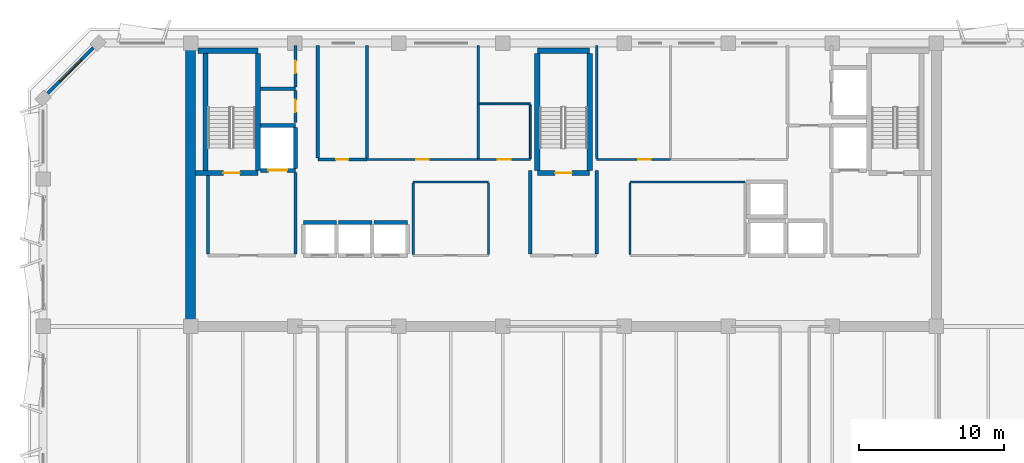
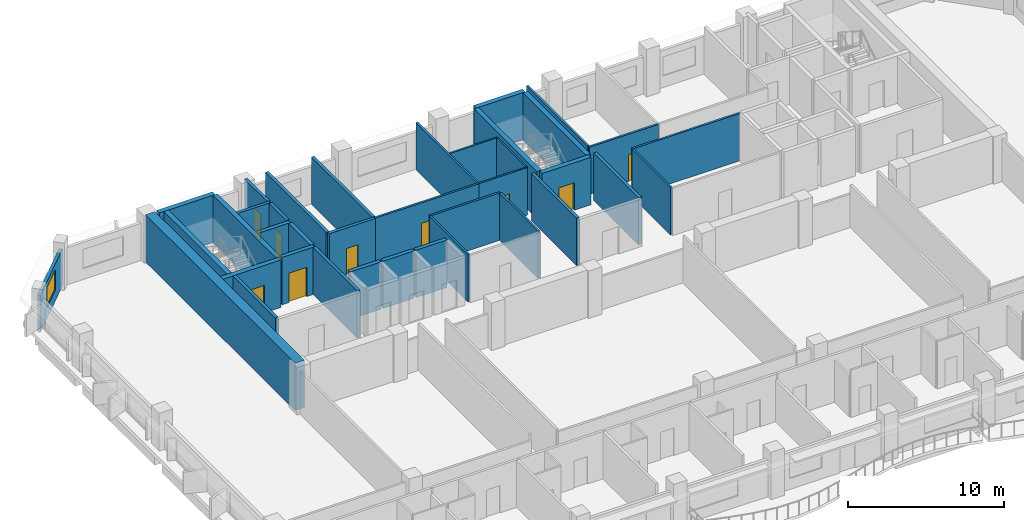
# One storey, part 6 of 11: 38 walls, 9 doors, 1 window, 10 openings.
"""IFC4 building model written with IfcOpenShell, lengths in metres."""

from ifc_helpers import new_model, si_unit, direction, frame, frame_2d, origin, place, context, subcontext, project, spatial, rectangle, extrude, material, layer, layer_set, type_object, element, fill, save


model = new_model("IFC4")

# Units and contexts
model_context = context("Model", 3, precision=1e-05, world=origin(), true_north=direction((0.0, 1.0)))
body_context = subcontext(model_context, "Body", "Model", "MODEL_VIEW")
ifc_project = project(units=[si_unit("LENGTHUNIT", "METRE"), si_unit("AREAUNIT", "SQUARE_METRE"), si_unit("VOLUMEUNIT", "CUBIC_METRE"), si_unit("PLANEANGLEUNIT", "RADIAN"), si_unit("MASSUNIT", "GRAM", prefix="KILO")], contexts=[model_context])

# Site, building, storey
site_placement = place(None, origin())
site = spatial("IfcSite", under=ifc_project, at=site_placement, CompositionType="ELEMENT")
building_placement = place(site_placement, origin())
building = spatial("IfcBuilding", under=site, at=building_placement, Name="Kaelvorn Grand Hotel", CompositionType="ELEMENT")
storey_placement = place(building_placement, frame((0.0, 0.0, 233.10009765625)))
storey = spatial("IfcBuildingStorey", under=building, at=storey_placement, Name="L57", CompositionType="ELEMENT", Elevation=233.10009765625)

# Wall
ifc_material_1 = material(Name="Concrete C50/60", Category="concrete")
ifc_layer_1 = layer(ifc_material_1, 0.699951171875)
ifc_layer_set_1 = layer_set([ifc_layer_1], Name="Concrete C50/60")
wall_type_1 = type_object("IfcWallType", Name="WL-CORE-700-C50", PredefinedType="SHEAR", material=ifc_layer_set_1)
wall_1_placement = place(storey_placement, frame((16.199951171875, 29.39990234375, 0.0), z_axis=(0.0, 0.0, 1.0), x_axis=(0.0, 1.0, 0.0)))
element("IfcWall", 1, at=wall_1_placement, inside=storey, type_object=wall_type_1, Name="L57 Rear-Core West Shear Wall", PredefinedType="SHEAR", context=body_context, shape_type="SweptSolid", body=[
    extrude(rectangle(XDim=19.2001953125, YDim=0.699951171875, at=frame_2d((9.60009765625, 0.0))), origin(), (0.0, 0.0, 1.0), 3.7099609375),
])

# Wall, opening, window
ifc_material_2 = material(Name="Concrete C40/50", Category="concrete")
ifc_layer_2 = layer(ifc_material_2, 0.219970703125)
ifc_layer_set_2 = layer_set([ifc_layer_2], Name="Concrete C40/50")
wall_type_2 = type_object("IfcWallType", Name="WL-EXT-220-C40", PredefinedType="SOLIDWALL", material=ifc_layer_set_2)
wall_2_placement = place(storey_placement, frame((9.800048828125, 49.0, 0.0), z_axis=(0.0, 0.0, 1.0), x_axis=(-0.707106781187, -0.707106781187, 0.0)))
wall_2 = element("IfcWall", 2, at=wall_2_placement, inside=storey, type_object=wall_type_2, Name="L57 Exterior Architectural Concrete Wall 06", PredefinedType="SOLIDWALL", context=body_context, shape_type="SweptSolid", body=[
    extrude(rectangle(XDim=5.3740234375, YDim=0.219970703125, at=frame_2d((2.68701171875, 0.0))), origin(), (0.0, 0.0, 1.0), 2.909912109375),
])
opening_1_placement = place(wall_2_placement, frame((1.636962890625, 0.0, 0.85009765625)))
opening_1 = element("IfcOpeningElement", 3, at=opening_1_placement, cuts=wall_2, Name="Opening W7", PredefinedType="OPENING", context=body_context, shape_type="SweptSolid", body=[
    extrude(rectangle(XDim=2.10009765625, YDim=1.60009765625, at=frame_2d((1.050048828125, 0.800048828125))), frame((0.0, 0.1201171875, 0.0), z_axis=(0.0, -1.0, 0.0), x_axis=(1.0, 0.0, 0.0)), (0.0, 0.0, 1.0), 0.239990234375),
])
ifc_material_3 = material(Name="Laminated Low-E Glass", Category="glass")
window_type = type_object("IfcWindowType", Name="WIN-CHM-2100x1600", PartitioningType="SINGLE_PANEL", PredefinedType="WINDOW", material=ifc_material_3)
window_placement = place(opening_1_placement, origin())
window = element("IfcWindow", 4, at=window_placement, inside=storey, type_object=window_type, Name="L57 Chamfered 45-Degree Corner Window NW", OverallHeight=1.60009765625, OverallWidth=2.10009765625, PartitioningType="SINGLE_PANEL", PredefinedType="WINDOW", context=body_context, shape_type="SweptSolid", body=[
    extrude(rectangle(XDim=2.10009765625, YDim=1.60009765625, at=frame_2d((1.050048828125, 0.800048828125))), frame((0.0, 0.030029296875, 0.0), z_axis=(0.0, -1.0, 0.0), x_axis=(1.0, 0.0, 0.0)), (0.0, 0.0, 1.0), 0.06005859375),
])
fill(opening_1, window)

# Wall, opening, door
ifc_material_4 = material(Name="Moisture-Resistant Tile & Stud Board")
ifc_layer_3 = layer(ifc_material_4, 0.125)
ifc_layer_set_3 = layer_set([ifc_layer_3], Name="Moisture-Resistant Tile & Stud Board")
wall_type_3 = type_object("IfcWallType", Name="WL-PART-125-WET", PredefinedType="PARTITIONING", material=ifc_layer_set_3)
wall_3_placement = place(storey_placement, frame((36.110107421875, 40.949951171875, 0.0), z_axis=(0.0, 0.0, 1.0), x_axis=(1.0, 0.0, 0.0)))
wall_3 = element("IfcWall", 5, at=wall_3_placement, inside=storey, type_object=wall_type_3, Name="L57 Accessible WC S Partition", PredefinedType="PARTITIONING", context=body_context, shape_type="SweptSolid", body=[
    extrude(rectangle(XDim=3.58984375, YDim=0.125, at=frame_2d((1.794921875, 0.0))), origin(), (0.0, 0.0, 1.0), 3.7099609375),
])
opening_2_placement = place(wall_3_placement, frame((1.340087890625, 0.0, 0.0)))
opening_2 = element("IfcOpeningElement", 6, at=opening_2_placement, cuts=wall_3, Name="Opening DI4", PredefinedType="OPENING", context=body_context, shape_type="SweptSolid", body=[
    extrude(rectangle(XDim=0.89990234375, YDim=2.10009765625, at=frame_2d((0.449951171875, 1.050048828125))), frame((0.0, 0.072509765625, 0.0), z_axis=(0.0, -1.0, 0.0), x_axis=(1.0, 0.0, 0.0)), (0.0, 0.0, 1.0), 0.14501953125),
])
ifc_material_5 = material(Name="Timber Veneer Leaf", Category="wood")
door_type_1 = type_object("IfcDoorType", Name="DR-INT-BATH-900x2100", OperationType="NOTDEFINED", PredefinedType="DOOR", material=ifc_material_5)
door_1_placement = place(opening_2_placement, origin())
door_1 = element("IfcDoor", 7, at=door_1_placement, inside=storey, type_object=door_type_1, Name="L57 Accessible WC Door", OperationType="SINGLE_SWING_RIGHT", OverallHeight=2.10009765625, OverallWidth=0.89990234375, PredefinedType="DOOR", context=body_context, shape_type="SweptSolid", body=[
    extrude(rectangle(XDim=0.89990234375, YDim=2.10009765625, at=frame_2d((0.449951171875, 1.050048828125))), frame((0.0, 0.02490234375, 0.0), z_axis=(0.0, -1.0, 0.0), x_axis=(1.0, 0.0, 0.0)), (0.0, 0.0, 1.0), 0.050048828125),
])
fill(opening_2, door_1)

# Walls
wall_4_placement = place(storey_placement, frame((36.179931640625, 44.800048828125, 0.0), z_axis=(0.0, 0.0, 1.0), x_axis=(1.0, 0.0, 0.0)))
element("IfcWall", 8, at=wall_4_placement, inside=storey, type_object=wall_type_3, Name="L57 Accessible WC N Partition", PredefinedType="PARTITIONING", context=body_context, shape_type="SweptSolid", body=[
    extrude(rectangle(XDim=3.52001953125, YDim=0.125, at=frame_2d((1.760009765625, 0.0))), origin(), (0.0, 0.0, 1.0), 3.7099609375),
])
wall_5_placement = place(storey_placement, frame((39.699951171875, 41.017578125, 0.0), z_axis=(0.0, 0.0, 1.0), x_axis=(0.0, 1.0, 0.0)))
element("IfcWall", 9, at=wall_5_placement, inside=storey, type_object=wall_type_3, Name="L57 Accessible WC E Partition", PredefinedType="PARTITIONING", context=body_context, shape_type="SweptSolid", body=[
    extrude(rectangle(XDim=3.71484375, YDim=0.125, at=frame_2d((1.857421875, 0.0))), origin(), (0.0, 0.0, 1.0), 3.7099609375),
])
ifc_material_6 = material(Name="Acoustic Gypsum & Stud Partition")
ifc_layer_4 = layer(ifc_material_6, 0.14990234375)
ifc_layer_set_4 = layer_set([ifc_layer_4], Name="Acoustic Gypsum & Stud Partition")
wall_type_4 = type_object("IfcWallType", Name="WL-PART-150-EI60", PredefinedType="PARTITIONING", material=ifc_layer_set_4)
wall_6_placement = place(storey_placement, frame((31.60009765625, 39.39990234375, 0.0), z_axis=(0.0, 0.0, 1.0), x_axis=(1.0, 0.0, 0.0)))
element("IfcWall", 10, at=wall_6_placement, inside=storey, type_object=wall_type_4, Name="L57 Core Telecoms & BMS Server Room N Partition", PredefinedType="PARTITIONING", context=body_context, shape_type="SweptSolid", body=[
    extrude(rectangle(XDim=5.199951171875, YDim=0.14990234375, at=frame_2d((2.60009765625, 0.0))), origin(), (0.0, 0.0, 1.0), 3.7099609375),
])
for number, where, z_axis, x_axis, name in (
    (11, (31.60009765625, 34.3798828125, 0.0), (0.0, 0.0, 1.0), (0.0, 1.0, 0.0), "L57 Core Telecoms & BMS Server Room W Partition"),
    (12, (36.800048828125, 34.3798828125, 0.0), (0.0, 0.0, 1.0), (0.0, 1.0, 0.0), "L57 Core Telecoms & BMS Server Room E Partition"),
):
    element("IfcWall", number, at=place(storey_placement, frame(where, z_axis=z_axis, x_axis=x_axis)), inside=storey, type_object=wall_type_4, Name=name, PredefinedType="PARTITIONING", context=body_context, shape_type="SweptSolid", body=[
        extrude(rectangle(XDim=4.940185546875, YDim=0.14990234375, at=frame_2d((2.47021484375, 0.0))), origin(), (0.0, 0.0, 1.0), 3.7099609375),
    ])
wall_7_placement = place(storey_placement, frame((46.60009765625, 39.39990234375, 0.0), z_axis=(0.0, 0.0, 1.0), x_axis=(1.0, 0.0, 0.0)))
element("IfcWall", 13, at=wall_7_placement, inside=storey, type_object=wall_type_4, Name="L57 Sky Concierge & Butler Pantry Lounge N Partition", PredefinedType="PARTITIONING", context=body_context, shape_type="SweptSolid", body=[
    extrude(rectangle(XDim=7.949951171875, YDim=0.14990234375, at=frame_2d((3.97509765625, 0.0))), origin(), (0.0, 0.0, 1.0), 3.7099609375),
])
wall_8_placement = place(storey_placement, frame((46.60009765625, 34.3798828125, 0.0), z_axis=(0.0, 0.0, 1.0), x_axis=(0.0, 1.0, 0.0)))
element("IfcWall", 14, at=wall_8_placement, inside=storey, type_object=wall_type_4, Name="L57 Sky Concierge & Butler Pantry Lounge W Partition", PredefinedType="PARTITIONING", context=body_context, shape_type="SweptSolid", body=[
    extrude(rectangle(XDim=4.940185546875, YDim=0.14990234375, at=frame_2d((2.47021484375, 0.0))), origin(), (0.0, 0.0, 1.0), 3.7099609375),
])

# Wall, opening, door
wall_9_placement = place(storey_placement, frame((28.409912109375, 40.949951171875, 0.0), z_axis=(0.0, 0.0, 1.0), x_axis=(1.0, 0.0, 0.0)))
wall_9 = element("IfcWall", 15, at=wall_9_placement, inside=storey, type_object=wall_type_4, Name="L57 Housekeeping & Linen Room S Partition", PredefinedType="PARTITIONING", context=body_context, shape_type="SweptSolid", body=[
    extrude(rectangle(XDim=7.690185546875, YDim=0.14990234375, at=frame_2d((3.84521484375, 0.0))), origin(), (0.0, 0.0, 1.0), 3.7099609375),
])
opening_3_placement = place(wall_9_placement, frame((3.4150390625, 0.0, 0.0)))
opening_3 = element("IfcOpeningElement", 16, at=opening_3_placement, cuts=wall_9, Name="Opening DI7", PredefinedType="OPENING", context=body_context, shape_type="SweptSolid", body=[
    extrude(rectangle(XDim=0.85009765625, YDim=2.10009765625, at=frame_2d((0.425048828125, 1.050048828125))), frame((0.0, 0.0849609375, 0.0), z_axis=(0.0, -1.0, 0.0), x_axis=(1.0, 0.0, 0.0)), (0.0, 0.0, 1.0), 0.169921875),
])
ifc_material_7 = material(Name="Powder-Coated Steel Leaf", Category="steel")
door_type_2 = type_object("IfcDoorType", Name="DR-INT-RISER-850x2100", OperationType="NOTDEFINED", PredefinedType="DOOR", material=ifc_material_7)
door_2_placement = place(opening_3_placement, origin())
door_2 = element("IfcDoor", 17, at=door_2_placement, inside=storey, type_object=door_type_2, Name="L57 Housekeeping & Linen Room Door", OperationType="SINGLE_SWING_LEFT", OverallHeight=2.10009765625, OverallWidth=0.85009765625, PredefinedType="DOOR", context=body_context, shape_type="SweptSolid", body=[
    extrude(rectangle(XDim=0.85009765625, YDim=2.10009765625, at=frame_2d((0.425048828125, 1.050048828125))), frame((0.0, 0.02490234375, 0.0), z_axis=(0.0, -1.0, 0.0), x_axis=(1.0, 0.0, 0.0)), (0.0, 0.0, 1.0), 0.050048828125),
])
fill(opening_3, door_2)

# Wall
wall_10_placement = place(storey_placement, frame((36.10009765625, 41.030029296875, 0.0), z_axis=(0.0, 0.0, 1.0), x_axis=(0.0, 1.0, 0.0)))
element("IfcWall", 18, at=wall_10_placement, inside=storey, type_object=wall_type_4, Name="L57 Housekeeping & Linen Room E Partition", PredefinedType="PARTITIONING", context=body_context, shape_type="SweptSolid", body=[
    extrude(rectangle(XDim=7.820068359375, YDim=0.14990234375, at=frame_2d((3.91015625, 0.0))), origin(), (0.0, 0.0, 1.0), 3.7099609375),
])

# Wall, opening, door
wall_11_placement = place(storey_placement, frame((44.300048828125, 40.949951171875, 0.0), z_axis=(0.0, 0.0, 1.0), x_axis=(1.0, 0.0, 0.0)))
wall_11 = element("IfcWall", 19, at=wall_11_placement, inside=storey, type_object=wall_type_4, Name="L57 Laundry Chute Vestibule S Partition", PredefinedType="PARTITIONING", context=body_context, shape_type="SweptSolid", body=[
    extrude(rectangle(XDim=5.099853515625, YDim=0.14990234375, at=frame_2d((2.5498046875, 0.0))), origin(), (0.0, 0.0, 1.0), 3.7099609375),
])
opening_4_placement = place(wall_11_placement, frame((2.875, 0.0, 0.0)))
opening_4 = element("IfcOpeningElement", 20, at=opening_4_placement, cuts=wall_11, Name="Opening DI7", PredefinedType="OPENING", context=body_context, shape_type="SweptSolid", body=[
    extrude(rectangle(XDim=0.85009765625, YDim=2.10009765625, at=frame_2d((0.425048828125, 1.050048828125))), frame((0.0, 0.0849609375, 0.0), z_axis=(0.0, -1.0, 0.0), x_axis=(1.0, 0.0, 0.0)), (0.0, 0.0, 1.0), 0.169921875),
])
door_3_placement = place(opening_4_placement, origin())
door_3 = element("IfcDoor", 21, at=door_3_placement, inside=storey, type_object=door_type_2, Name="L57 Laundry Chute Vestibule Door", OperationType="SINGLE_SWING_LEFT", OverallHeight=2.10009765625, OverallWidth=0.85009765625, PredefinedType="DOOR", context=body_context, shape_type="SweptSolid", body=[
    extrude(rectangle(XDim=0.85009765625, YDim=2.10009765625, at=frame_2d((0.425048828125, 1.050048828125))), frame((0.0, 0.02490234375, 0.0), z_axis=(0.0, -1.0, 0.0), x_axis=(1.0, 0.0, 0.0)), (0.0, 0.0, 1.0), 0.050048828125),
])
fill(opening_4, door_3)

# Walls
wall_12_placement = place(storey_placement, frame((44.300048828125, 41.030029296875, 0.0), z_axis=(0.0, 0.0, 1.0), x_axis=(0.0, 1.0, 0.0)))
element("IfcWall", 22, at=wall_12_placement, inside=storey, type_object=wall_type_4, Name="L57 Laundry Chute Vestibule W Partition", PredefinedType="PARTITIONING", context=body_context, shape_type="SweptSolid", body=[
    extrude(rectangle(XDim=7.820068359375, YDim=0.14990234375, at=frame_2d((3.91015625, 0.0))), origin(), (0.0, 0.0, 1.0), 3.7099609375),
])
ifc_layer_5 = layer(ifc_material_2, 0.219970703125)
ifc_layer_set_5 = layer_set([ifc_layer_5], Name="Concrete C40/50")
wall_type_5 = type_object("IfcWallType", Name="WL-PART-220-EI120", PredefinedType="PARTITIONING", material=ifc_layer_set_5)
wall_13_placement = place(storey_placement, frame((17.39990234375, 34.4150390625, 0.0), z_axis=(0.0, 0.0, 1.0), x_axis=(0.0, 1.0, 0.0)))
element("IfcWall", 23, at=wall_13_placement, inside=storey, type_object=wall_type_5, Name="L57 Firefighting Lift Lobby 1 W Partition", PredefinedType="PARTITIONING", context=body_context, shape_type="SweptSolid", body=[
    extrude(rectangle(XDim=5.429931640625, YDim=0.219970703125, at=frame_2d((2.71484375, 0.0))), origin(), (0.0, 0.0, 1.0), 3.7099609375),
])
wall_14_placement = place(storey_placement, frame((23.449951171875, 34.4150390625, 0.0), z_axis=(0.0, 0.0, 1.0), x_axis=(0.0, 1.0, 0.0)))
element("IfcWall", 24, at=wall_14_placement, inside=storey, type_object=wall_type_5, Name="L57 Firefighting Lift Lobby 1 E Partition", PredefinedType="PARTITIONING", context=body_context, shape_type="SweptSolid", body=[
    extrude(rectangle(XDim=5.639892578125, YDim=0.219970703125, at=frame_2d((2.81982421875, 0.0))), origin(), (0.0, 0.0, 1.0), 3.7099609375),
])
for number, where, z_axis, x_axis, name in (
    (25, (39.699951171875, 34.4150390625, 0.0), (0.0, 0.0, 1.0), (0.0, 1.0, 0.0), "L57 Central Stair Escape Vestibule W Partition"),
    (26, (44.300048828125, 34.4150390625, 0.0), (0.0, 0.0, 1.0), (0.0, 1.0, 0.0), "L57 Central Stair Escape Vestibule E Partition"),
):
    element("IfcWall", number, at=place(storey_placement, frame(where, z_axis=z_axis, x_axis=x_axis)), inside=storey, type_object=wall_type_5, Name=name, PredefinedType="PARTITIONING", context=body_context, shape_type="SweptSolid", body=[
        extrude(rectangle(XDim=5.784912109375, YDim=0.219970703125, at=frame_2d((2.892578125, 0.0))), origin(), (0.0, 0.0, 1.0), 3.7099609375),
    ])
wall_15_placement = place(storey_placement, frame((21.034912109375, 45.85009765625, 0.0), z_axis=(0.0, 0.0, 1.0), x_axis=(1.0, 0.0, 0.0)))
element("IfcWall", 27, at=wall_15_placement, inside=storey, type_object=wall_type_5, Name="L57 Wet Fire & Plumbing Riser Shaft N Partition", PredefinedType="PARTITIONING", context=body_context, shape_type="SweptSolid", body=[
    extrude(rectangle(XDim=2.4150390625, YDim=0.219970703125, at=frame_2d((1.20751953125, 0.0))), origin(), (0.0, 0.0, 1.0), 3.7099609375),
])

# Wall, opening, door
wall_16_placement = place(storey_placement, frame((23.449951171875, 43.5, 0.0), z_axis=(0.0, 0.0, 1.0), x_axis=(0.0, 1.0, 0.0)))
wall_16 = element("IfcWall", 28, at=wall_16_placement, inside=storey, type_object=wall_type_5, Name="L57 Wet Fire & Plumbing Riser Shaft E Partition", PredefinedType="PARTITIONING", context=body_context, shape_type="SweptSolid", body=[
    extrude(rectangle(XDim=2.235107421875, YDim=0.219970703125, at=frame_2d((1.11767578125, 0.0))), origin(), (0.0, 0.0, 1.0), 3.7099609375),
])
opening_5_placement = place(wall_16_placement, frame((0.72509765625, 0.0, 0.0)))
opening_5 = element("IfcOpeningElement", 29, at=opening_5_placement, cuts=wall_16, Name="Opening DI7", PredefinedType="OPENING", context=body_context, shape_type="SweptSolid", body=[
    extrude(rectangle(XDim=0.85009765625, YDim=2.10009765625, at=frame_2d((0.425048828125, 1.050048828125))), frame((0.0, 0.1201171875, 0.0), z_axis=(0.0, -1.0, 0.0), x_axis=(1.0, 0.0, 0.0)), (0.0, 0.0, 1.0), 0.239990234375),
])
door_4_placement = place(opening_5_placement, origin())
door_4 = element("IfcDoor", 30, at=door_4_placement, inside=storey, type_object=door_type_2, Name="L57 Wet Fire & Plumbing Riser Shaft Door", OperationType="SINGLE_SWING_RIGHT", OverallHeight=2.10009765625, OverallWidth=0.85009765625, PredefinedType="DOOR", context=body_context, shape_type="SweptSolid", body=[
    extrude(rectangle(XDim=0.85009765625, YDim=2.10009765625, at=frame_2d((0.425048828125, 1.050048828125))), frame((0.0, 0.02490234375, 0.0), z_axis=(0.0, -1.0, 0.0), x_axis=(1.0, 0.0, 0.0)), (0.0, 0.0, 1.0), 0.050048828125),
])
fill(opening_5, door_4)

wall_17_placement = place(storey_placement, frame((23.449951171875, 45.965087890625, 0.0), z_axis=(0.0, 0.0, 1.0), x_axis=(0.0, 1.0, 0.0)))
wall_17 = element("IfcWall", 31, at=wall_17_placement, inside=storey, type_object=wall_type_5, Name="L57 HV Electrical & Smoke Riser E Partition", PredefinedType="PARTITIONING", context=body_context, shape_type="SweptSolid", body=[
    extrude(rectangle(XDim=2.885009765625, YDim=0.219970703125, at=frame_2d((1.4423828125, 0.0))), origin(), (0.0, 0.0, 1.0), 3.7099609375),
])
opening_6_placement = place(wall_17_placement, frame((0.9599609375, 0.0, 0.0)))
opening_6 = element("IfcOpeningElement", 32, at=opening_6_placement, cuts=wall_17, Name="Opening DI7", PredefinedType="OPENING", context=body_context, shape_type="SweptSolid", body=[
    extrude(rectangle(XDim=0.85009765625, YDim=2.10009765625, at=frame_2d((0.425048828125, 1.050048828125))), frame((0.0, 0.1201171875, 0.0), z_axis=(0.0, -1.0, 0.0), x_axis=(1.0, 0.0, 0.0)), (0.0, 0.0, 1.0), 0.239990234375),
])
door_5_placement = place(opening_6_placement, origin())
door_5 = element("IfcDoor", 33, at=door_5_placement, inside=storey, type_object=door_type_2, Name="L57 HV Electrical & Smoke Riser Door", OperationType="SINGLE_SWING_LEFT", OverallHeight=2.10009765625, OverallWidth=0.85009765625, PredefinedType="DOOR", context=body_context, shape_type="SweptSolid", body=[
    extrude(rectangle(XDim=0.85009765625, YDim=2.10009765625, at=frame_2d((0.425048828125, 1.050048828125))), frame((0.0, 0.02490234375, 0.0), z_axis=(0.0, -1.0, 0.0), x_axis=(1.0, 0.0, 0.0)), (0.0, 0.0, 1.0), 0.050048828125),
])
fill(opening_6, door_5)

wall_18_placement = place(storey_placement, frame((25.0, 40.949951171875, 0.0), z_axis=(0.0, 0.0, 1.0), x_axis=(1.0, 0.0, 0.0)))
wall_18 = element("IfcWall", 34, at=wall_18_placement, inside=storey, type_object=wall_type_5, Name="L57 Electrical Distribution Room S Partition", PredefinedType="PARTITIONING", context=body_context, shape_type="SweptSolid", body=[
    extrude(rectangle(XDim=3.39990234375, YDim=0.219970703125, at=frame_2d((1.699951171875, 0.0))), origin(), (0.0, 0.0, 1.0), 3.7099609375),
])
opening_7_placement = place(wall_18_placement, frame((1.27490234375, 0.0, 0.0)))
opening_7 = element("IfcOpeningElement", 35, at=opening_7_placement, cuts=wall_18, Name="Opening DI7", PredefinedType="OPENING", context=body_context, shape_type="SweptSolid", body=[
    extrude(rectangle(XDim=0.85009765625, YDim=2.10009765625, at=frame_2d((0.425048828125, 1.050048828125))), frame((0.0, 0.1201171875, 0.0), z_axis=(0.0, -1.0, 0.0), x_axis=(1.0, 0.0, 0.0)), (0.0, 0.0, 1.0), 0.239990234375),
])
door_6_placement = place(opening_7_placement, origin())
door_6 = element("IfcDoor", 36, at=door_6_placement, inside=storey, type_object=door_type_2, Name="L57 Electrical Distribution Room Door", OperationType="SINGLE_SWING_RIGHT", OverallHeight=2.10009765625, OverallWidth=0.85009765625, PredefinedType="DOOR", context=body_context, shape_type="SweptSolid", body=[
    extrude(rectangle(XDim=0.85009765625, YDim=2.10009765625, at=frame_2d((0.425048828125, 1.050048828125))), frame((0.0, 0.02490234375, 0.0), z_axis=(0.0, -1.0, 0.0), x_axis=(1.0, 0.0, 0.0)), (0.0, 0.0, 1.0), 0.050048828125),
])
fill(opening_7, door_6)

# Walls
for number, where, z_axis, x_axis, name in (
    (37, (25.0, 41.06494140625, 0.0), (0.0, 0.0, 1.0), (0.0, 1.0, 0.0), "L57 Electrical Distribution Room W Partition"),
    (38, (28.39990234375, 41.06494140625, 0.0), (0.0, 0.0, 1.0), (0.0, 1.0, 0.0), "L57 Electrical Distribution Room E Partition"),
):
    element("IfcWall", number, at=place(storey_placement, frame(where, z_axis=z_axis, x_axis=x_axis)), inside=storey, type_object=wall_type_5, Name=name, PredefinedType="PARTITIONING", context=body_context, shape_type="SweptSolid", body=[
        extrude(rectangle(XDim=7.78515625, YDim=0.219970703125, at=frame_2d((3.892578125, 0.0))), origin(), (0.0, 0.0, 1.0), 3.7099609375),
    ])
ifc_layer_6 = layer(ifc_material_1, 0.280029296875)
ifc_layer_set_6 = layer_set([ifc_layer_6], Name="Concrete C50/60")
wall_type_6 = type_object("IfcWallType", Name="WL-SHAFT-280-C50", PredefinedType="SHEAR", material=ifc_layer_set_6)
for number, where, z_axis, x_axis, name in (
    (39, (24.0, 36.60009765625, 0.0), (0.0, 0.0, 1.0), (1.0, 0.0, 0.0), "L57 Lift PL-H1 Shaft North Wall"),
    (40, (26.449951171875, 36.60009765625, 0.0), (0.0, 0.0, 1.0), (1.0, 0.0, 0.0), "L57 Lift PL-H2 Shaft North Wall"),
    (41, (28.89990234375, 36.60009765625, 0.0), (0.0, 0.0, 1.0), (1.0, 0.0, 0.0), "L57 Lift PL-H3 Shaft North Wall"),
):
    element("IfcWall", number, at=place(storey_placement, frame(where, z_axis=z_axis, x_axis=x_axis)), inside=storey, type_object=wall_type_6, Name=name, PredefinedType="SHEAR", context=body_context, shape_type="SweptSolid", body=[
        extrude(rectangle(XDim=2.300048828125, YDim=0.280029296875, at=frame_2d((1.14990234375, 0.0))), origin(), (0.0, 0.0, 1.0), 3.7099609375),
    ])

# Wall, opening, door
wall_19_placement = place(storey_placement, frame((21.034912109375, 40.199951171875, 0.0), z_axis=(0.0, 0.0, 1.0), x_axis=(1.0, 0.0, 0.0)))
wall_19 = element("IfcWall", 42, at=wall_19_placement, inside=storey, type_object=wall_type_6, Name="L57 Lift FFL1 Shaft South Wall", PredefinedType="SHEAR", context=body_context, shape_type="SweptSolid", body=[
    extrude(rectangle(XDim=2.4150390625, YDim=0.280029296875, at=frame_2d((1.20751953125, 0.0))), origin(), (0.0, 0.0, 1.0), 3.7099609375),
])
opening_8_placement = place(wall_19_placement, frame((0.5400390625, 0.0, 0.0)))
opening_8 = element("IfcOpeningElement", 43, at=opening_8_placement, cuts=wall_19, Name="Opening LD-FFL1", PredefinedType="OPENING", context=body_context, shape_type="SweptSolid", body=[
    extrude(rectangle(XDim=1.300048828125, YDim=2.300048828125, at=frame_2d((0.64990234375, 1.14990234375))), frame((0.0, 0.14990234375, 0.0), z_axis=(0.0, -1.0, 0.0), x_axis=(1.0, 0.0, 0.0)), (0.0, 0.0, 1.0), 0.300048828125),
])
ifc_material_8 = material(Name="Stainless Steel", Category="steel")
door_type_3 = type_object("IfcDoorType", Name="DR-LIFT-SERV-1300x2300", OperationType="DOUBLE_DOOR_SLIDING", PredefinedType="DOOR", material=ifc_material_8)
door_7_placement = place(opening_8_placement, origin())
door_7 = element("IfcDoor", 44, at=door_7_placement, inside=storey, type_object=door_type_3, Name="L57 Lift FFL1 Sliding Landing Door LD-FFL1", OperationType="DOUBLE_DOOR_SLIDING", OverallHeight=2.300048828125, OverallWidth=1.300048828125, PredefinedType="DOOR", context=body_context, shape_type="SweptSolid", body=[
    extrude(rectangle(XDim=1.300048828125, YDim=2.300048828125, at=frame_2d((0.64990234375, 1.14990234375))), frame((0.0, 0.02490234375, 0.0), z_axis=(0.0, -1.0, 0.0), x_axis=(1.0, 0.0, 0.0)), (0.0, 0.0, 1.0), 0.050048828125),
])
fill(opening_8, door_7)

# Walls
wall_20_placement = place(storey_placement, frame((21.034912109375, 43.300048828125, 0.0), z_axis=(0.0, 0.0, 1.0), x_axis=(1.0, 0.0, 0.0)))
element("IfcWall", 45, at=wall_20_placement, inside=storey, type_object=wall_type_6, Name="L57 Lift FFL1 Shaft North Wall", PredefinedType="SHEAR", context=body_context, shape_type="SweptSolid", body=[
    extrude(rectangle(XDim=2.4150390625, YDim=0.280029296875, at=frame_2d((1.20751953125, 0.0))), origin(), (0.0, 0.0, 1.0), 3.7099609375),
])
wall_21_placement = place(storey_placement, frame((23.449951171875, 40.344970703125, 0.0), z_axis=(0.0, 0.0, 1.0), x_axis=(0.0, 1.0, 0.0)))
element("IfcWall", 46, at=wall_21_placement, inside=storey, type_object=wall_type_6, Name="L57 Lift FFL1 Shaft East Wall", PredefinedType="SHEAR", context=body_context, shape_type="SweptSolid", body=[
    extrude(rectangle(XDim=2.81005859375, YDim=0.280029296875, at=frame_2d((1.405029296875, 0.0))), origin(), (0.0, 0.0, 1.0), 3.7099609375),
])

# Wall, opening, door
ifc_material_9 = material(Name="Concrete C60/75", Category="concrete")
ifc_layer_7 = layer(ifc_material_9, 0.35009765625)
ifc_layer_set_7 = layer_set([ifc_layer_7], Name="Concrete C60/75")
wall_type_7 = type_object("IfcWallType", Name="WL-SHAFT-350-C60", PredefinedType="SHEAR", material=ifc_layer_set_7)
wall_22_placement = place(storey_placement, frame((16.554931640625, 40.02490234375, 0.0), z_axis=(0.0, 0.0, 1.0), x_axis=(1.0, 0.0, 0.0)))
wall_22 = element("IfcWall", 47, at=wall_22_placement, inside=storey, type_object=wall_type_7, Name="L57 ST1 Stair Shaft South Wall", PredefinedType="SHEAR", context=body_context, shape_type="SweptSolid", body=[
    extrude(rectangle(XDim=4.300048828125, YDim=0.35009765625, at=frame_2d((2.14990234375, 0.0))), origin(), (0.0, 0.0, 1.0), 3.7099609375),
])
opening_9_placement = place(wall_22_placement, frame((1.909912109375, 0.0, 0.0)))
opening_9 = element("IfcOpeningElement", 48, at=opening_9_placement, cuts=wall_22, Name="Opening DI1", PredefinedType="OPENING", context=body_context, shape_type="SweptSolid", body=[
    extrude(rectangle(XDim=1.14990234375, YDim=2.14990234375, at=frame_2d((0.574951171875, 1.074951171875))), frame((0.0, 0.18505859375, 0.0), z_axis=(0.0, -1.0, 0.0), x_axis=(1.0, 0.0, 0.0)), (0.0, 0.0, 1.0), 0.3701171875),
])
ifc_material_10 = material(Name="Timber Veneer Fire Leaf", Category="wood")
door_type_4 = type_object("IfcDoorType", Name="DR-INT-STAIR-1150x2150", OperationType="NOTDEFINED", PredefinedType="DOOR", material=ifc_material_10)
door_8_placement = place(opening_9_placement, origin())
door_8 = element("IfcDoor", 49, at=door_8_placement, inside=storey, type_object=door_type_4, Name="L57 ST1 Exit Stair Fire Door", OperationType="SINGLE_SWING_LEFT", OverallHeight=2.14990234375, OverallWidth=1.14990234375, PredefinedType="DOOR", context=body_context, shape_type="SweptSolid", body=[
    extrude(rectangle(XDim=1.14990234375, YDim=2.14990234375, at=frame_2d((0.574951171875, 1.074951171875))), frame((0.0, 0.02490234375, 0.0), z_axis=(0.0, -1.0, 0.0), x_axis=(1.0, 0.0, 0.0)), (0.0, 0.0, 1.0), 0.050048828125),
])
fill(opening_9, door_8)

# Walls
wall_23_placement = place(storey_placement, frame((16.705078125, 48.47509765625, 0.0), z_axis=(0.0, 0.0, 1.0), x_axis=(1.0, 0.0, 0.0)))
element("IfcWall", 50, at=wall_23_placement, inside=storey, type_object=wall_type_7, Name="L57 ST1 Stair Shaft North Wall", PredefinedType="SHEAR", context=body_context, shape_type="SweptSolid", body=[
    extrude(rectangle(XDim=4.14990234375, YDim=0.35009765625, at=frame_2d((2.074951171875, 0.0))), origin(), (0.0, 0.0, 1.0), 3.7099609375),
])
for number, where, z_axis, x_axis, name in (
    (51, (17.22509765625, 40.205078125, 0.0), (0.0, 0.0, 1.0), (0.0, 1.0, 0.0), "L57 ST1 Stair Shaft West Wall"),
    (52, (20.85498046875, 40.205078125, 0.0), (0.0, 0.0, 1.0), (0.0, 1.0, 0.0), "L57 ST1 Stair Shaft East Wall"),
):
    element("IfcWall", number, at=place(storey_placement, frame(where, z_axis=z_axis, x_axis=x_axis)), inside=storey, type_object=wall_type_7, Name=name, PredefinedType="SHEAR", context=body_context, shape_type="SweptSolid", body=[
        extrude(rectangle(XDim=8.08984375, YDim=0.35009765625, at=frame_2d((4.044921875, 0.0))), origin(), (0.0, 0.0, 1.0), 3.7099609375),
    ])

# Wall, opening, door
wall_24_placement = place(storey_placement, frame((40.18505859375, 40.02490234375, 0.0), z_axis=(0.0, 0.0, 1.0), x_axis=(1.0, 0.0, 0.0)))
wall_24 = element("IfcWall", 53, at=wall_24_placement, inside=storey, type_object=wall_type_7, Name="L57 ST2 Stair Shaft South Wall", PredefinedType="SHEAR", context=body_context, shape_type="SweptSolid", body=[
    extrude(rectangle(XDim=3.6298828125, YDim=0.35009765625, at=frame_2d((1.81494140625, 0.0))), origin(), (0.0, 0.0, 1.0), 3.7099609375),
])
opening_10_placement = place(wall_24_placement, frame((1.239990234375, 0.0, 0.0)))
opening_10 = element("IfcOpeningElement", 54, at=opening_10_placement, cuts=wall_24, Name="Opening DI1", PredefinedType="OPENING", context=body_context, shape_type="SweptSolid", body=[
    extrude(rectangle(XDim=1.14990234375, YDim=2.14990234375, at=frame_2d((0.574951171875, 1.074951171875))), frame((0.0, 0.18505859375, 0.0), z_axis=(0.0, -1.0, 0.0), x_axis=(1.0, 0.0, 0.0)), (0.0, 0.0, 1.0), 0.3701171875),
])
door_9_placement = place(opening_10_placement, origin())
door_9 = element("IfcDoor", 55, at=door_9_placement, inside=storey, type_object=door_type_4, Name="L57 ST2 Exit Stair Fire Door", OperationType="SINGLE_SWING_RIGHT", OverallHeight=2.14990234375, OverallWidth=1.14990234375, PredefinedType="DOOR", context=body_context, shape_type="SweptSolid", body=[
    extrude(rectangle(XDim=1.14990234375, YDim=2.14990234375, at=frame_2d((0.574951171875, 1.074951171875))), frame((0.0, 0.02490234375, 0.0), z_axis=(0.0, -1.0, 0.0), x_axis=(1.0, 0.0, 0.0)), (0.0, 0.0, 1.0), 0.050048828125),
])
fill(opening_10, door_9)

# Walls
wall_25_placement = place(storey_placement, frame((40.18505859375, 48.47509765625, 0.0), z_axis=(0.0, 0.0, 1.0), x_axis=(1.0, 0.0, 0.0)))
element("IfcWall", 56, at=wall_25_placement, inside=storey, type_object=wall_type_7, Name="L57 ST2 Stair Shaft North Wall", PredefinedType="SHEAR", context=body_context, shape_type="SweptSolid", body=[
    extrude(rectangle(XDim=3.6298828125, YDim=0.35009765625, at=frame_2d((1.81494140625, 0.0))), origin(), (0.0, 0.0, 1.0), 3.7099609375),
])
for number, where, z_axis, x_axis, name in (
    (57, (40.18505859375, 40.205078125, 0.0), (0.0, 0.0, 1.0), (0.0, 1.0, 0.0), "L57 ST2 Stair Shaft West Wall"),
    (58, (43.81494140625, 40.205078125, 0.0), (0.0, 0.0, 1.0), (0.0, 1.0, 0.0), "L57 ST2 Stair Shaft East Wall"),
):
    element("IfcWall", number, at=place(storey_placement, frame(where, z_axis=z_axis, x_axis=x_axis)), inside=storey, type_object=wall_type_7, Name=name, PredefinedType="SHEAR", context=body_context, shape_type="SweptSolid", body=[
        extrude(rectangle(XDim=8.08984375, YDim=0.35009765625, at=frame_2d((4.044921875, 0.0))), origin(), (0.0, 0.0, 1.0), 3.7099609375),
    ])

save(model, "model.ifc")
